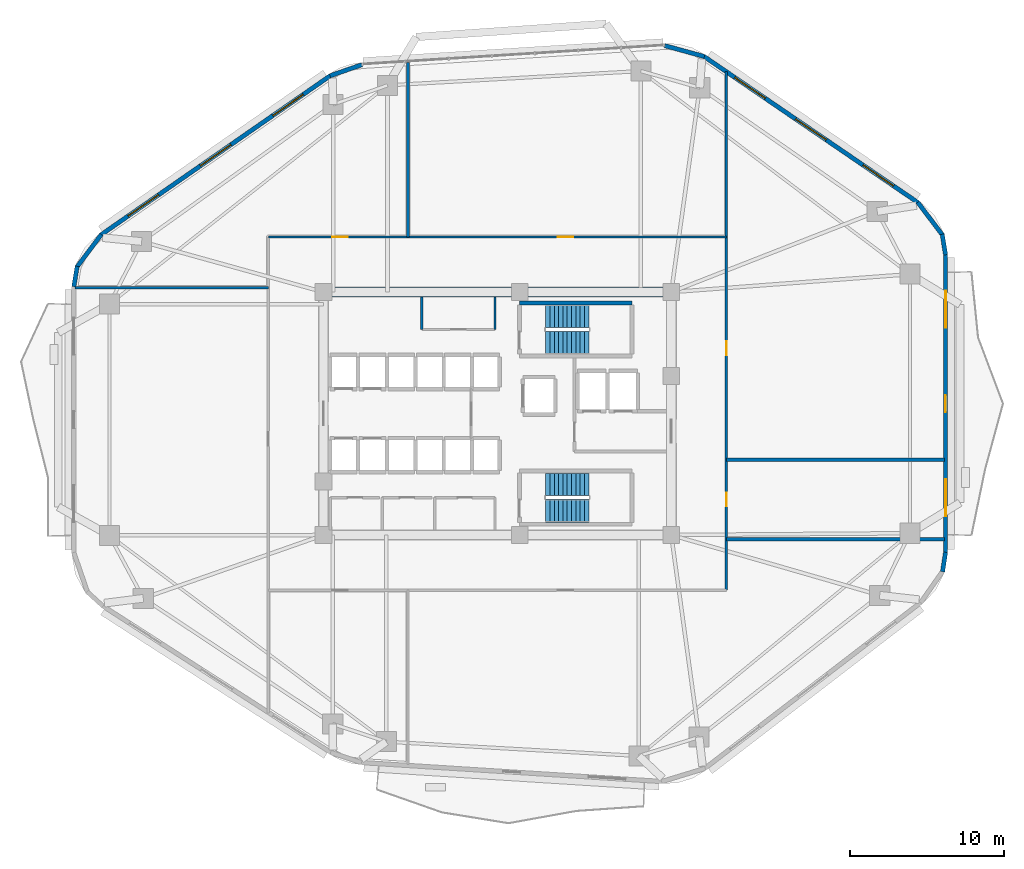
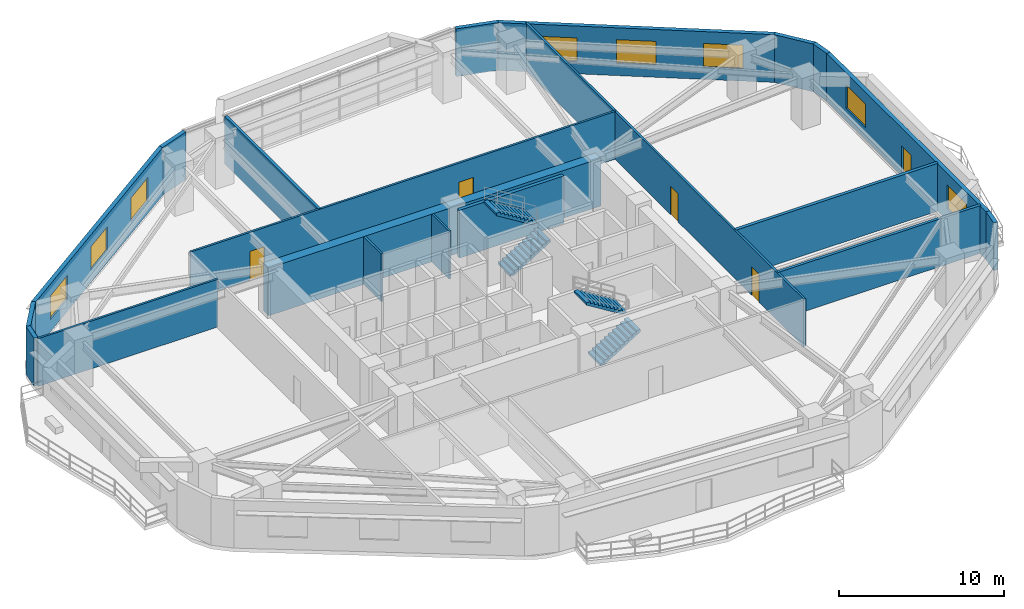
# One storey, part 8 of 11: 20 walls, 8 windows, 5 doors, 4 stair flights, 13 openings, 2 elements without a shape of their own.
"""IFC4 building model written with IfcOpenShell, lengths in metres."""

from ifc_helpers import new_model, si_unit, direction, frame, frame_2d, origin, place, context, subcontext, project, spatial, polyline, rectangle, outline, extrude, material, layer, layer_set, type_object, element, fill, aggregate, save


model = new_model("IFC4")

# Units and contexts
model_context = context("Model", 3, precision=1e-05, world=origin(), true_north=direction((0.0, 1.0)))
body_context = subcontext(model_context, "Body", "Model", "MODEL_VIEW")
ifc_project = project(units=[si_unit("LENGTHUNIT", "METRE"), si_unit("AREAUNIT", "SQUARE_METRE"), si_unit("VOLUMEUNIT", "CUBIC_METRE"), si_unit("PLANEANGLEUNIT", "RADIAN"), si_unit("MASSUNIT", "GRAM", prefix="KILO")], contexts=[model_context])

# Site, building, storey
site_placement = place(None, origin())
site = spatial("IfcSite", under=ifc_project, at=site_placement, CompositionType="ELEMENT")
building_placement = place(site_placement, origin())
building = spatial("IfcBuilding", under=site, at=building_placement, Name="Zulverin Broadcast Headquarters", CompositionType="ELEMENT")
storey_placement = place(building_placement, frame((0.0, 0.0, 78.199951171875)))
storey = spatial("IfcBuildingStorey", under=building, at=storey_placement, Name="L19", CompositionType="ELEMENT", Elevation=78.199951171875)

# Walls
ifc_material_1 = material(Name="Acoustic drywall steel stud", Category="steel")
ifc_layer_1 = layer(ifc_material_1, 0.199951171875, Name="Acoustic drywall steel stud", Category="steel")
ifc_layer_set_1 = layer_set([ifc_layer_1], Name="Acoustic drywall steel stud")
wall_type_1 = type_object("IfcWallType", Name="WL-ACOU-200", PredefinedType="PARTITIONING", material=ifc_layer_set_1)
wall_1_placement = place(storey_placement, frame((31.199951171875, 36.64990234375, 0.0), z_axis=(0.0, 0.0, 1.0), x_axis=(0.0, 1.0, 0.0)))
element("IfcWall", 1, at=wall_1_placement, inside=storey, type_object=wall_type_1, Name="L19 Room Partition Wall RP-03", PredefinedType="PARTITIONING", context=body_context, shape_type="SweptSolid", body=[
    extrude(rectangle(XDim=11.305908203125, YDim=0.199951171875, at=frame_2d((5.65283203125, 0.0))), origin(), (0.0, 0.0, 1.0), 3.525146484375),
])
wall_2_placement = place(storey_placement, frame((51.85009765625, 17.050048828125, 0.0), z_axis=(0.0, 0.0, 1.0), x_axis=(1.0, 0.0, 0.0)))
element("IfcWall", 2, at=wall_2_placement, inside=storey, type_object=wall_type_1, Name="L19 Room Partition Wall RP-06", PredefinedType="PARTITIONING", context=body_context, shape_type="SweptSolid", body=[
    extrude(rectangle(XDim=14.14501953125, YDim=0.199951171875, at=frame_2d((7.072509765625, 0.0))), origin(), (0.0, 0.0, 1.0), 3.525146484375),
])
ifc_material_2 = material(Name="Double-stud acoustic drywall", Category="gypsum")
ifc_layer_2 = layer(ifc_material_2, 0.219970703125, Name="Double-stud acoustic drywall", Category="gypsum")
ifc_layer_set_2 = layer_set([ifc_layer_2], Name="Double-stud acoustic drywall")
wall_type_2 = type_object("IfcWallType", Name="WL-ACOU-220", PredefinedType="PARTITIONING", material=ifc_layer_set_2)
wall_3_placement = place(storey_placement, frame((51.85009765625, 22.199951171875, 0.0), z_axis=(0.0, 0.0, 1.0), x_axis=(1.0, 0.0, 0.0)))
element("IfcWall", 3, at=wall_3_placement, inside=storey, type_object=wall_type_2, Name="L19 Room Partition Wall RP-07", PredefinedType="PARTITIONING", context=body_context, shape_type="SweptSolid", body=[
    extrude(rectangle(XDim=14.14501953125, YDim=0.219970703125, at=frame_2d((7.072509765625, 0.0))), origin(), (0.0, 0.0, 1.0), 3.525146484375),
])
ifc_material_3 = material(Name="Concrete C60/75", Category="concrete")
ifc_layer_3 = layer(ifc_material_3, 0.64990234375, Name="Concrete C60/75", Category="concrete")
ifc_layer_set_3 = layer_set([ifc_layer_3], Name="Concrete C60/75")
wall_type_3 = type_object("IfcWallType", Name="WL-CORE-650", PredefinedType="SHEAR", material=ifc_layer_set_3)
wall_4_placement = place(storey_placement, frame((25.39990234375, 33.074951171875, 0.0), z_axis=(0.0, 0.0, 1.0), x_axis=(1.0, 0.0, 0.0)))
element("IfcWall", 4, at=wall_4_placement, inside=storey, type_object=wall_type_3, Name="L19 Core North Shear Wall", PredefinedType="SHEAR", context=body_context, shape_type="SweptSolid", body=[
    extrude(rectangle(XDim=23.2001953125, YDim=0.64990234375, at=frame_2d((11.60009765625, 0.0))), origin(), (0.0, 0.0, 1.0), 3.525146484375),
])

# Wall, openings, door, windows
ifc_material_4 = material(Name="Insulated pale-metal clad concrete spandrel C40/50", Category="concrete")
ifc_layer_4 = layer(ifc_material_4, 0.280029296875, Name="Insulated pale-metal clad concrete spandrel C40/50", Category="concrete")
ifc_layer_set_4 = layer_set([ifc_layer_4], Name="Insulated pale-metal clad concrete spandrel C40/50")
wall_type_4 = type_object("IfcWallType", Name="WL-EXT-280", PredefinedType="STANDARD", material=ifc_layer_set_4)
wall_5_placement = place(storey_placement, frame((66.06005859375, 16.183349609375, 0.0), z_axis=(0.0, 0.0, 1.0), x_axis=(0.0, 1.0, 0.0)))
wall_5 = element("IfcWall", 5, at=wall_5_placement, inside=storey, type_object=wall_type_4, Name="L19 Pale-Metal Clad Spandrel Wall 3", PredefinedType="STANDARD", context=body_context, shape_type="SweptSolid", body=[
    extrude(rectangle(XDim=19.3310546875, YDim=0.280029296875, at=frame_2d((9.66552734375, 0.0))), origin(), (0.0, 0.0, 1.0), 3.525146484375),
])
opening_1_placement = place(wall_5_placement, frame((9.115478515625, 0.0, 0.0)))
opening_1 = element("IfcOpeningElement", 6, at=opening_1_placement, cuts=wall_5, Name="Opening D-L19-TR3", PredefinedType="OPENING", context=body_context, shape_type="SweptSolid", body=[
    extrude(rectangle(XDim=1.10009765625, YDim=2.199951171875, at=frame_2d((0.550048828125, 1.10009765625))), frame((0.0, 0.14990234375, 0.0), z_axis=(0.0, -1.0, 0.0), x_axis=(1.0, 0.0, 0.0)), (0.0, 0.0, 1.0), 0.300048828125),
])
opening_2_placement = place(wall_5_placement, frame((2.355224609375, 0.0, 0.89990234375)))
opening_2 = element("IfcOpeningElement", 7, at=opening_2_placement, cuts=wall_5, Name="Opening W-L19-E31", PredefinedType="OPENING", context=body_context, shape_type="SweptSolid", body=[
    extrude(rectangle(XDim=2.39990234375, YDim=1.75, at=frame_2d((1.199951171875, 0.875))), frame((0.0, 0.14990234375, 0.0), z_axis=(0.0, -1.0, 0.0), x_axis=(1.0, 0.0, 0.0)), (0.0, 0.0, 1.0), 0.300048828125),
])
opening_3_placement = place(wall_5_placement, frame((14.575927734375, 0.0, 0.89990234375)))
opening_3 = element("IfcOpeningElement", 8, at=opening_3_placement, cuts=wall_5, Name="Opening W-L19-E32", PredefinedType="OPENING", context=body_context, shape_type="SweptSolid", body=[
    extrude(rectangle(XDim=2.39990234375, YDim=1.75, at=frame_2d((1.199951171875, 0.875))), frame((0.0, 0.14990234375, 0.0), z_axis=(0.0, -1.0, 0.0), x_axis=(1.0, 0.0, 0.0)), (0.0, 0.0, 1.0), 0.300048828125),
])
ifc_material_5 = material(Name="Thermally broken aluminium glazed", Category="aluminium")
door_type_1 = type_object("IfcDoorType", Name="DR-TERR-1100", OperationType="SINGLE_SWING_RIGHT", PredefinedType="DOOR", material=ifc_material_5)
door_1_placement = place(opening_1_placement, origin())
door_1 = element("IfcDoor", 9, at=door_1_placement, inside=storey, type_object=door_type_1, Name="L19 Planted Terrace Glazed Access Door 3", OperationType="SINGLE_SWING_RIGHT", OverallHeight=2.199951171875, OverallWidth=1.10009765625, PredefinedType="DOOR", context=body_context, shape_type="SweptSolid", body=[
    extrude(rectangle(XDim=1.10009765625, YDim=2.199951171875, at=frame_2d((0.550048828125, 1.10009765625))), frame((0.0, 0.02490234375, 0.0), z_axis=(0.0, -1.0, 0.0), x_axis=(1.0, 0.0, 0.0)), (0.0, 0.0, 1.0), 0.050048828125),
])
fill(opening_1, door_1)
ifc_material_6 = material(Name="Pale anodized aluminium frame with solar-control low-E double glazing", Category="aluminium")
window_type = type_object("IfcWindowType", Name="WIN-RIB-2400", PartitioningType="SINGLE_PANEL", PredefinedType="WINDOW", material=ifc_material_6)
window_1_placement = place(opening_2_placement, origin())
window_1 = element("IfcWindow", 10, at=window_1_placement, inside=storey, type_object=window_type, Name="L19 Ribbon Glazing Window 3 1", OverallHeight=1.75, OverallWidth=2.39990234375, PartitioningType="SINGLE_PANEL", PredefinedType="WINDOW", context=body_context, shape_type="SweptSolid", body=[
    extrude(rectangle(XDim=2.39990234375, YDim=1.75, at=frame_2d((1.199951171875, 0.875))), frame((0.0, 0.030029296875, 0.0), z_axis=(0.0, -1.0, 0.0), x_axis=(1.0, 0.0, 0.0)), (0.0, 0.0, 1.0), 0.06005859375),
])
fill(opening_2, window_1)
window_2_placement = place(opening_3_placement, origin())
window_2 = element("IfcWindow", 11, at=window_2_placement, inside=storey, type_object=window_type, Name="L19 Ribbon Glazing Window 3 2", OverallHeight=1.75, OverallWidth=2.39990234375, PartitioningType="SINGLE_PANEL", PredefinedType="WINDOW", context=body_context, shape_type="SweptSolid", body=[
    extrude(rectangle(XDim=2.39990234375, YDim=1.75, at=frame_2d((1.199951171875, 0.875))), frame((0.0, 0.030029296875, 0.0), z_axis=(0.0, -1.0, 0.0), x_axis=(1.0, 0.0, 0.0)), (0.0, 0.0, 1.0), 0.06005859375),
])
fill(opening_3, window_2)

# Wall, openings, windows
wall_6_placement = place(storey_placement, frame((64.289794921875, 38.8671875, 0.0), z_axis=(0.0, 0.0, 1.0), x_axis=(-0.825755550159, 0.564028165416, 0.0)))
wall_6 = element("IfcWall", 12, at=wall_6_placement, inside=storey, type_object=wall_type_4, Name="L19 Pale-Metal Clad Spandrel Wall 4", PredefinedType="STANDARD", context=body_context, shape_type="SweptSolid", body=[
    extrude(rectangle(XDim=16.848388671875, YDim=0.280029296875, at=frame_2d((8.42431640625, 0.0))), origin(), (0.0, 0.0, 1.0), 3.525146484375),
])
opening_4_placement = place(wall_6_placement, frame((1.94140625, 0.0, 0.89990234375)))
opening_4 = element("IfcOpeningElement", 13, at=opening_4_placement, cuts=wall_6, Name="Opening W-L19-E41", PredefinedType="OPENING", context=body_context, shape_type="SweptSolid", body=[
    extrude(rectangle(XDim=2.39990234375, YDim=1.75, at=frame_2d((1.199951171875, 0.875))), frame((0.0, 0.14990234375, 0.0), z_axis=(0.0, -1.0, 0.0), x_axis=(1.0, 0.0, 0.0)), (0.0, 0.0, 1.0), 0.300048828125),
])
opening_5_placement = place(wall_6_placement, frame((7.22412109375, 0.0, 0.89990234375)))
opening_5 = element("IfcOpeningElement", 14, at=opening_5_placement, cuts=wall_6, Name="Opening W-L19-E42", PredefinedType="OPENING", context=body_context, shape_type="SweptSolid", body=[
    extrude(rectangle(XDim=2.39990234375, YDim=1.75, at=frame_2d((1.199951171875, 0.875))), frame((0.0, 0.14990234375, 0.0), z_axis=(0.0, -1.0, 0.0), x_axis=(1.0, 0.0, 0.0)), (0.0, 0.0, 1.0), 0.300048828125),
])
opening_6_placement = place(wall_6_placement, frame((12.0068359375, 0.0, 0.89990234375)))
opening_6 = element("IfcOpeningElement", 15, at=opening_6_placement, cuts=wall_6, Name="Opening W-L19-E43", PredefinedType="OPENING", context=body_context, shape_type="SweptSolid", body=[
    extrude(rectangle(XDim=2.39990234375, YDim=1.75, at=frame_2d((1.199951171875, 0.875))), frame((0.0, 0.14990234375, 0.0), z_axis=(0.0, -1.0, 0.0), x_axis=(1.0, 0.0, 0.0)), (0.0, 0.0, 1.0), 0.300048828125),
])
window_3_placement = place(opening_4_placement, origin())
window_3 = element("IfcWindow", 16, at=window_3_placement, inside=storey, type_object=window_type, Name="L19 Ribbon Glazing Window 4 1", OverallHeight=1.75, OverallWidth=2.39990234375, PartitioningType="SINGLE_PANEL", PredefinedType="WINDOW", context=body_context, shape_type="SweptSolid", body=[
    extrude(rectangle(XDim=2.39990234375, YDim=1.75, at=frame_2d((1.199951171875, 0.875))), frame((0.0, 0.030029296875, 0.0), z_axis=(0.0, -1.0, 0.0), x_axis=(1.0, 0.0, 0.0)), (0.0, 0.0, 1.0), 0.06005859375),
])
fill(opening_4, window_3)
window_4_placement = place(opening_5_placement, origin())
window_4 = element("IfcWindow", 17, at=window_4_placement, inside=storey, type_object=window_type, Name="L19 Ribbon Glazing Window 4 2", OverallHeight=1.75, OverallWidth=2.39990234375, PartitioningType="SINGLE_PANEL", PredefinedType="WINDOW", context=body_context, shape_type="SweptSolid", body=[
    extrude(rectangle(XDim=2.39990234375, YDim=1.75, at=frame_2d((1.199951171875, 0.875))), frame((0.0, 0.030029296875, 0.0), z_axis=(0.0, -1.0, 0.0), x_axis=(1.0, 0.0, 0.0)), (0.0, 0.0, 1.0), 0.06005859375),
])
fill(opening_5, window_4)
window_5_placement = place(opening_6_placement, origin())
window_5 = element("IfcWindow", 18, at=window_5_placement, inside=storey, type_object=window_type, Name="L19 Ribbon Glazing Window 4 3", OverallHeight=1.75, OverallWidth=2.39990234375, PartitioningType="SINGLE_PANEL", PredefinedType="WINDOW", context=body_context, shape_type="SweptSolid", body=[
    extrude(rectangle(XDim=2.39990234375, YDim=1.75, at=frame_2d((1.199951171875, 0.875))), frame((0.0, 0.030029296875, 0.0), z_axis=(0.0, -1.0, 0.0), x_axis=(1.0, 0.0, 0.0)), (0.0, 0.0, 1.0), 0.06005859375),
])
fill(opening_6, window_5)

wall_7_placement = place(storey_placement, frame((26.181884765625, 47.11767578125, 0.0), z_axis=(0.0, 0.0, 1.0), x_axis=(-0.821547956627, -0.570139417127, 0.0)))
wall_7 = element("IfcWall", 19, at=wall_7_placement, inside=storey, type_object=wall_type_4, Name="L19 Pale-Metal Clad Spandrel Wall 6", PredefinedType="STANDARD", context=body_context, shape_type="SweptSolid", body=[
    extrude(rectangle(XDim=18.13232421875, YDim=0.280029296875, at=frame_2d((9.066162109375, 0.0))), origin(), (0.0, 0.0, 1.0), 3.525146484375),
])
opening_7_placement = place(wall_7_placement, frame((2.155517578125, 0.0, 0.89990234375)))
opening_7 = element("IfcOpeningElement", 20, at=opening_7_placement, cuts=wall_7, Name="Opening W-L19-E61", PredefinedType="OPENING", context=body_context, shape_type="SweptSolid", body=[
    extrude(rectangle(XDim=2.39990234375, YDim=1.75, at=frame_2d((1.199951171875, 0.875))), frame((0.0, 0.14990234375, 0.0), z_axis=(0.0, -1.0, 0.0), x_axis=(1.0, 0.0, 0.0)), (0.0, 0.0, 1.0), 0.300048828125),
])
opening_8_placement = place(wall_7_placement, frame((7.8662109375, 0.0, 0.89990234375)))
opening_8 = element("IfcOpeningElement", 21, at=opening_8_placement, cuts=wall_7, Name="Opening W-L19-E62", PredefinedType="OPENING", context=body_context, shape_type="SweptSolid", body=[
    extrude(rectangle(XDim=2.39990234375, YDim=1.75, at=frame_2d((1.199951171875, 0.875))), frame((0.0, 0.14990234375, 0.0), z_axis=(0.0, -1.0, 0.0), x_axis=(1.0, 0.0, 0.0)), (0.0, 0.0, 1.0), 0.300048828125),
])
opening_9_placement = place(wall_7_placement, frame((13.576904296875, 0.0, 0.89990234375)))
opening_9 = element("IfcOpeningElement", 22, at=opening_9_placement, cuts=wall_7, Name="Opening W-L19-E63", PredefinedType="OPENING", context=body_context, shape_type="SweptSolid", body=[
    extrude(rectangle(XDim=2.39990234375, YDim=1.75, at=frame_2d((1.199951171875, 0.875))), frame((0.0, 0.14990234375, 0.0), z_axis=(0.0, -1.0, 0.0), x_axis=(1.0, 0.0, 0.0)), (0.0, 0.0, 1.0), 0.300048828125),
])
window_6_placement = place(opening_7_placement, origin())
window_6 = element("IfcWindow", 23, at=window_6_placement, inside=storey, type_object=window_type, Name="L19 Ribbon Glazing Window 6 1", OverallHeight=1.75, OverallWidth=2.39990234375, PartitioningType="SINGLE_PANEL", PredefinedType="WINDOW", context=body_context, shape_type="SweptSolid", body=[
    extrude(rectangle(XDim=2.39990234375, YDim=1.75, at=frame_2d((1.199951171875, 0.875))), frame((0.0, 0.030029296875, 0.0), z_axis=(0.0, -1.0, 0.0), x_axis=(1.0, 0.0, 0.0)), (0.0, 0.0, 1.0), 0.06005859375),
])
fill(opening_7, window_6)
window_7_placement = place(opening_8_placement, origin())
window_7 = element("IfcWindow", 24, at=window_7_placement, inside=storey, type_object=window_type, Name="L19 Ribbon Glazing Window 6 2", OverallHeight=1.75, OverallWidth=2.39990234375, PartitioningType="SINGLE_PANEL", PredefinedType="WINDOW", context=body_context, shape_type="SweptSolid", body=[
    extrude(rectangle(XDim=2.39990234375, YDim=1.75, at=frame_2d((1.199951171875, 0.875))), frame((0.0, 0.030029296875, 0.0), z_axis=(0.0, -1.0, 0.0), x_axis=(1.0, 0.0, 0.0)), (0.0, 0.0, 1.0), 0.06005859375),
])
fill(opening_8, window_7)
window_8_placement = place(opening_9_placement, origin())
window_8 = element("IfcWindow", 25, at=window_8_placement, inside=storey, type_object=window_type, Name="L19 Ribbon Glazing Window 6 3", OverallHeight=1.75, OverallWidth=2.39990234375, PartitioningType="SINGLE_PANEL", PredefinedType="WINDOW", context=body_context, shape_type="SweptSolid", body=[
    extrude(rectangle(XDim=2.39990234375, YDim=1.75, at=frame_2d((1.199951171875, 0.875))), frame((0.0, 0.030029296875, 0.0), z_axis=(0.0, -1.0, 0.0), x_axis=(1.0, 0.0, 0.0)), (0.0, 0.0, 1.0), 0.06005859375),
])
fill(opening_9, window_8)

# Walls
wall_8_placement = place(storey_placement, frame((65.867431640625, 14.942626953125, 0.0), z_axis=(0.0, 0.0, 1.0), x_axis=(0.152014078361, 0.988378328364, 0.0)))
element("IfcWall", 26, at=wall_8_placement, inside=storey, type_object=wall_type_4, Name="L19 Wind-Shaped Corner Spandrel Wall 2-2", PredefinedType="STANDARD", context=body_context, shape_type="SweptSolid", body=[
    extrude(rectangle(XDim=1.27685546875, YDim=0.280029296875, at=frame_2d((0.638427734375, 0.0))), origin(), (0.0, 0.0, 1.0), 3.525146484375),
])
wall_9_placement = place(storey_placement, frame((66.061767578125, 35.491943359375, 0.0), z_axis=(0.0, 0.0, 1.0), x_axis=(-0.161182073582, 0.986924687682, 0.0)))
element("IfcWall", 27, at=wall_9_placement, inside=storey, type_object=wall_type_4, Name="L19 Wind-Shaped Corner Spandrel Wall 3-1", PredefinedType="STANDARD", context=body_context, shape_type="SweptSolid", body=[
    extrude(rectangle(XDim=1.354248046875, YDim=0.280029296875, at=frame_2d((0.67724609375, 0.0))), origin(), (0.0, 0.0, 1.0), 3.525146484375),
])
wall_10_placement = place(storey_placement, frame((65.8701171875, 36.7666015625, 0.0), z_axis=(0.0, 0.0, 1.0), x_axis=(-0.603370463754, 0.797461023166, 0.0)))
element("IfcWall", 28, at=wall_10_placement, inside=storey, type_object=wall_type_4, Name="L19 Wind-Shaped Corner Spandrel Wall 3-2", PredefinedType="STANDARD", context=body_context, shape_type="SweptSolid", body=[
    extrude(rectangle(XDim=2.6728515625, YDim=0.280029296875, at=frame_2d((1.33642578125, 0.0))), origin(), (0.0, 0.0, 1.0), 3.525146484375),
])
wall_11_placement = place(storey_placement, frame((50.419189453125, 48.3505859375, 0.0), z_axis=(0.0, 0.0, 1.0), x_axis=(-0.964263320055, 0.264945748402, 0.0)))
element("IfcWall", 29, at=wall_11_placement, inside=storey, type_object=wall_type_4, Name="L19 Wind-Shaped Corner Spandrel Wall 4-1", PredefinedType="STANDARD", context=body_context, shape_type="SweptSolid", body=[
    extrude(rectangle(XDim=2.665771484375, YDim=0.280029296875, at=frame_2d((1.3330078125, 0.0))), origin(), (0.0, 0.0, 1.0), 3.525146484375),
])
wall_12_placement = place(storey_placement, frame((28.217041015625, 47.820068359375, 0.0), z_axis=(0.0, 0.0, 1.0), x_axis=(-0.944478751803, -0.328572499447, 0.0)))
element("IfcWall", 30, at=wall_12_placement, inside=storey, type_object=wall_type_4, Name="L19 Wind-Shaped Corner Spandrel Wall 5-1", PredefinedType="STANDARD", context=body_context, shape_type="SweptSolid", body=[
    extrude(rectangle(XDim=2.1904296875, YDim=0.280029296875, at=frame_2d((1.09521484375, 0.0))), origin(), (0.0, 0.0, 1.0), 3.525146484375),
])
wall_13_placement = place(storey_placement, frame((11.317626953125, 36.81103515625, 0.0), z_axis=(0.0, 0.0, 1.0), x_axis=(-0.599455152629, -0.800408345775, 0.0)))
element("IfcWall", 31, at=wall_13_placement, inside=storey, type_object=wall_type_4, Name="L19 Wind-Shaped Corner Spandrel Wall 6-1", PredefinedType="STANDARD", context=body_context, shape_type="SweptSolid", body=[
    extrude(rectangle(XDim=2.6533203125, YDim=0.280029296875, at=frame_2d((1.32666015625, 0.0))), origin(), (0.0, 0.0, 1.0), 3.525146484375),
])
wall_14_placement = place(storey_placement, frame((9.753173828125, 34.748779296875, 0.0), z_axis=(0.0, 0.0, 1.0), x_axis=(-0.160037671962, -0.987110907423, 0.0)))
element("IfcWall", 32, at=wall_14_placement, inside=storey, type_object=wall_type_4, Name="L19 Wind-Shaped Corner Spandrel Wall 6-2", PredefinedType="STANDARD", context=body_context, shape_type="SweptSolid", body=[
    extrude(rectangle(XDim=1.343994140625, YDim=0.280029296875, at=frame_2d((0.671875, 0.0))), origin(), (0.0, 0.0, 1.0), 3.525146484375),
])
ifc_material_7 = material(Name="Fire-rated gypsum stud partition", Category="gypsum")
ifc_layer_5 = layer(ifc_material_7, 0.14990234375, Name="Fire-rated gypsum stud partition", Category="gypsum")
ifc_layer_set_5 = layer_set([ifc_layer_5], Name="Fire-rated gypsum stud partition")
wall_type_5 = type_object("IfcWallType", Name="WL-PART-150", PredefinedType="PARTITIONING", material=ifc_layer_set_5)
for number, where, z_axis, x_axis, name in (
    (33, (32.10009765625, 30.64990234375, 0.0), (0.0, 0.0, 1.0), (0.0, 1.0, 0.0), "L19 Core Accessible WC & Electrical Riser West Wall"),
    (34, (36.85009765625, 30.64990234375, 0.0), (0.0, 0.0, 1.0), (0.0, 1.0, 0.0), "L19 Core Accessible WC & Electrical Riser East Wall"),
):
    element("IfcWall", number, at=place(storey_placement, frame(where, z_axis=z_axis, x_axis=x_axis)), inside=storey, type_object=wall_type_5, Name=name, PredefinedType="PARTITIONING", context=body_context, shape_type="SweptSolid", body=[
        extrude(rectangle(XDim=2.10009765625, YDim=0.14990234375, at=frame_2d((1.050048828125, 0.0))), origin(), (0.0, 0.0, 1.0), 3.525146484375),
    ])

# Wall, openings, doors
wall_15_placement = place(storey_placement, frame((51.85009765625, 13.75, 0.0), z_axis=(0.0, 0.0, 1.0), x_axis=(0.0, 1.0, 0.0)))
wall_15 = element("IfcWall", 35, at=wall_15_placement, inside=storey, type_object=wall_type_5, Name="L19 Gallery Partition Wall CG-01", PredefinedType="PARTITIONING", context=body_context, shape_type="SweptSolid", body=[
    extrude(rectangle(XDim=33.6435546875, YDim=0.14990234375, at=frame_2d((16.82177734375, 0.0))), origin(), (0.0, 0.0, 1.0), 3.525146484375),
])
opening_10_placement = place(wall_15_placement, frame((5.425048828125, 0.0, 0.0)))
opening_10 = element("IfcOpeningElement", 36, at=opening_10_placement, cuts=wall_15, Name="Opening D-L19-06", PredefinedType="OPENING", context=body_context, shape_type="SweptSolid", body=[
    extrude(rectangle(XDim=0.89990234375, YDim=2.10009765625, at=frame_2d((0.449951171875, 1.050048828125))), frame((0.0, 0.0849609375, 0.0), z_axis=(0.0, -1.0, 0.0), x_axis=(1.0, 0.0, 0.0)), (0.0, 0.0, 1.0), 0.169921875),
])
opening_11_placement = place(wall_15_placement, frame((15.22509765625, 0.0, 0.0)))
opening_11 = element("IfcOpeningElement", 37, at=opening_11_placement, cuts=wall_15, Name="Opening D-L19-07", PredefinedType="OPENING", context=body_context, shape_type="SweptSolid", body=[
    extrude(rectangle(XDim=0.89990234375, YDim=2.10009765625, at=frame_2d((0.449951171875, 1.050048828125))), frame((0.0, 0.0849609375, 0.0), z_axis=(0.0, -1.0, 0.0), x_axis=(1.0, 0.0, 0.0)), (0.0, 0.0, 1.0), 0.169921875),
])
ifc_material_8 = material(Name="Fire-rated hardwood veneer timber leaf", Category="wood")
door_type_2 = type_object("IfcDoorType", Name="DR-ROOM-900", OperationType="SINGLE_SWING_RIGHT", PredefinedType="DOOR", material=ifc_material_8)
door_2_placement = place(opening_10_placement, origin())
door_2 = element("IfcDoor", 38, at=door_2_placement, inside=storey, type_object=door_type_2, Name="L19 Staff Cafe & Bar Door", OperationType="SINGLE_SWING_LEFT", OverallHeight=2.10009765625, OverallWidth=0.89990234375, PredefinedType="DOOR", context=body_context, shape_type="SweptSolid", body=[
    extrude(rectangle(XDim=0.89990234375, YDim=2.10009765625, at=frame_2d((0.449951171875, 1.050048828125))), frame((0.0, 0.02490234375, 0.0), z_axis=(0.0, -1.0, 0.0), x_axis=(1.0, 0.0, 0.0)), (0.0, 0.0, 1.0), 0.050048828125),
])
fill(opening_10, door_2)
door_3_placement = place(opening_11_placement, origin())
door_3 = element("IfcDoor", 39, at=door_3_placement, inside=storey, type_object=door_type_2, Name="L19 Tea Pantry Door", OperationType="SINGLE_SWING_RIGHT", OverallHeight=2.10009765625, OverallWidth=0.89990234375, PredefinedType="DOOR", context=body_context, shape_type="SweptSolid", body=[
    extrude(rectangle(XDim=0.89990234375, YDim=2.10009765625, at=frame_2d((0.449951171875, 1.050048828125))), frame((0.0, 0.02490234375, 0.0), z_axis=(0.0, -1.0, 0.0), x_axis=(1.0, 0.0, 0.0)), (0.0, 0.0, 1.0), 0.050048828125),
])
fill(opening_11, door_3)

# Wall
wall_16_placement = place(storey_placement, frame((9.60498046875, 33.35009765625, 0.0), z_axis=(0.0, 0.0, 1.0), x_axis=(1.0, 0.0, 0.0)))
element("IfcWall", 40, at=wall_16_placement, inside=storey, type_object=wall_type_5, Name="L19 Room Partition Wall RP-08", PredefinedType="PARTITIONING", context=body_context, shape_type="SweptSolid", body=[
    extrude(rectangle(XDim=12.544921875, YDim=0.14990234375, at=frame_2d((6.2724609375, 0.0))), origin(), (0.0, 0.0, 1.0), 3.525146484375),
])

# Wall, openings, doors
wall_17_placement = place(storey_placement, frame((22.14990234375, 36.64990234375, 0.0), z_axis=(0.0, 0.0, 1.0), x_axis=(1.0, 0.0, 0.0)))
wall_17 = element("IfcWall", 41, at=wall_17_placement, inside=storey, type_object=wall_type_5, Name="L19 Gallery Partition Wall CG-09", PredefinedType="PARTITIONING", context=body_context, shape_type="SweptSolid", body=[
    extrude(rectangle(XDim=29.7001953125, YDim=0.14990234375, at=frame_2d((14.85009765625, 0.0))), origin(), (0.0, 0.0, 1.0), 3.525146484375),
])
opening_12_placement = place(wall_17_placement, frame((4.14501953125, 0.0, 0.0)))
opening_12 = element("IfcOpeningElement", 42, at=opening_12_placement, cuts=wall_17, Name="Opening D-L19-01", PredefinedType="OPENING", context=body_context, shape_type="SweptSolid", body=[
    extrude(rectangle(XDim=1.0, YDim=2.1201171875, at=frame_2d((0.5, 1.06005859375))), frame((0.0, 0.0849609375, 0.0), z_axis=(0.0, -1.0, 0.0), x_axis=(1.0, 0.0, 0.0)), (0.0, 0.0, 1.0), 0.169921875),
])
opening_13_placement = place(wall_17_placement, frame((18.7548828125, 0.0, 0.0)))
opening_13 = element("IfcOpeningElement", 43, at=opening_13_placement, cuts=wall_17, Name="Opening D-L19-02", PredefinedType="OPENING", context=body_context, shape_type="SweptSolid", body=[
    extrude(rectangle(XDim=1.0, YDim=2.1201171875, at=frame_2d((0.5, 1.06005859375))), frame((0.0, 0.0849609375, 0.0), z_axis=(0.0, -1.0, 0.0), x_axis=(1.0, 0.0, 0.0)), (0.0, 0.0, 1.0), 0.169921875),
])
ifc_material_9 = material(Name="Hardwood veneer acoustic leaf", Category="wood")
door_type_3 = type_object("IfcDoorType", Name="DR-OFF-1000", OperationType="SINGLE_SWING_LEFT", PredefinedType="DOOR", material=ifc_material_9)
door_4_placement = place(opening_12_placement, origin())
door_4 = element("IfcDoor", 44, at=door_4_placement, inside=storey, type_object=door_type_3, Name="L19 Live Newsroom Workplace Door", OperationType="SINGLE_SWING_RIGHT", OverallHeight=2.1201171875, OverallWidth=1.0, PredefinedType="DOOR", context=body_context, shape_type="SweptSolid", body=[
    extrude(rectangle(XDim=1.0, YDim=2.1201171875, at=frame_2d((0.5, 1.06005859375))), frame((0.0, 0.02490234375, 0.0), z_axis=(0.0, -1.0, 0.0), x_axis=(1.0, 0.0, 0.0)), (0.0, 0.0, 1.0), 0.050048828125),
])
fill(opening_12, door_4)
door_5_placement = place(opening_13_placement, origin())
door_5 = element("IfcDoor", 45, at=door_5_placement, inside=storey, type_object=door_type_3, Name="L19 Transmission Control Office Door", OperationType="SINGLE_SWING_LEFT", OverallHeight=2.1201171875, OverallWidth=1.0, PredefinedType="DOOR", context=body_context, shape_type="SweptSolid", body=[
    extrude(rectangle(XDim=1.0, YDim=2.1201171875, at=frame_2d((0.5, 1.06005859375))), frame((0.0, 0.02490234375, 0.0), z_axis=(0.0, -1.0, 0.0), x_axis=(1.0, 0.0, 0.0)), (0.0, 0.0, 1.0), 0.050048828125),
])
fill(opening_13, door_5)

# Wall
ifc_material_10 = material(Name="Concrete C50/60", Category="concrete")
ifc_layer_6 = layer(ifc_material_10, 0.25, Name="Concrete C50/60", Category="concrete")
ifc_layer_set_6 = layer_set([ifc_layer_6], Name="Concrete C50/60")
wall_type_6 = type_object("IfcWallType", Name="WL-SHAFT-250", PredefinedType="SHEAR", material=ifc_layer_set_6)
wall_18_placement = place(storey_placement, frame((38.425048828125, 32.375, 0.0), z_axis=(0.0, 0.0, 1.0), x_axis=(1.0, 0.0, 0.0)))
element("IfcWall", 46, at=wall_18_placement, inside=storey, type_object=wall_type_6, Name="L19 ST-1 Enclosure Wall N", PredefinedType="SHEAR", context=body_context, shape_type="SweptSolid", body=[
    extrude(rectangle(XDim=7.300048828125, YDim=0.25, at=frame_2d((3.64990234375, 0.0))), origin(), (0.0, 0.0, 1.0), 3.525146484375),
])

# Stair, stair flights
ifc_material_11 = material(Name="Concrete C40/50", Category="concrete")
stair_type = type_object("IfcStairType", Name="ST-CORE-1500", PredefinedType="HALF_TURN_STAIR", material=ifc_material_11)
stair_1_placement = place(storey_placement, origin())
stair_1 = element("IfcStair", 47, at=stair_1_placement, inside=storey, type_object=stair_type, Name="L19 Core Exit Stair ST-1", PredefinedType="HALF_TURN_STAIR")
stair_flight_type = type_object("IfcStairFlightType", Name="SF-CORE-1500", PredefinedType="STRAIGHT", material=ifc_material_11)
stair_flight_1_placement = place(storey_placement, frame((40.1298828125, 29.800048828125, 0.0), z_axis=(0.0, 0.0, 1.0), x_axis=(1.0, 0.0, 0.0)))
stair_flight_1 = element("IfcStairFlight", 48, at=stair_flight_1_placement, type_object=stair_flight_type, Name="ST-1 flight 1", NumberOfRisers=11, NumberOfTreads=10, PredefinedType="STRAIGHT", RiserHeight=0.172727273, TreadLength=0.28, context=body_context, shape_type="SweptSolid", body=[
    extrude(outline(polyline([(0.0, 0.0), (0.0, 0.172607421875), (0.280029296875, 0.172607421875), (0.280029296875, 0.345458984375), (0.56005859375, 0.345458984375), (0.56005859375, 0.51806640625), (0.840087890625, 0.51806640625), (0.840087890625, 0.69091796875), (1.1201171875, 0.69091796875), (1.1201171875, 0.863525390625), (1.39990234375, 0.863525390625), (1.39990234375, 1.036376953125), (1.679931640625, 1.036376953125), (1.679931640625, 1.208984375), (1.9599609375, 1.208984375), (1.9599609375, 1.3818359375), (2.239990234375, 1.3818359375), (2.239990234375, 1.554443359375), (2.52001953125, 1.554443359375), (2.52001953125, 1.727294921875), (2.800048828125, 1.727294921875), (2.800048828125, 1.89990234375), (2.800048828125, 1.551025390625), (0.285400390625, 0.0), (0.0, 0.0)])), frame((0.0, 0.75, 0.0), z_axis=(0.0, -1.0, 0.0), x_axis=(1.0, 0.0, 0.0)), (0.0, 0.0, 1.0), 1.5),
])
stair_flight_2_placement = place(storey_placement, frame((42.929931640625, 31.5, 1.900146484375), z_axis=(0.0, 0.0, 1.0), x_axis=(-1.0, 0.0, 0.0)))
stair_flight_2 = element("IfcStairFlight", 49, at=stair_flight_2_placement, type_object=stair_flight_type, Name="ST-1 flight 2", NumberOfRisers=11, NumberOfTreads=10, PredefinedType="STRAIGHT", RiserHeight=0.172727273, TreadLength=0.28, context=body_context, shape_type="SweptSolid", body=[
    extrude(outline(polyline([(0.0, 0.0), (0.0, 0.172607421875), (0.280029296875, 0.172607421875), (0.280029296875, 0.345458984375), (0.56005859375, 0.345458984375), (0.56005859375, 0.51806640625), (0.840087890625, 0.51806640625), (0.840087890625, 0.69091796875), (1.1201171875, 0.69091796875), (1.1201171875, 0.863525390625), (1.39990234375, 0.863525390625), (1.39990234375, 1.036376953125), (1.679931640625, 1.036376953125), (1.679931640625, 1.208984375), (1.9599609375, 1.208984375), (1.9599609375, 1.3818359375), (2.239990234375, 1.3818359375), (2.239990234375, 1.554443359375), (2.52001953125, 1.554443359375), (2.52001953125, 1.727294921875), (2.800048828125, 1.727294921875), (2.800048828125, 1.89990234375), (2.800048828125, 1.551025390625), (0.285400390625, 0.0), (0.0, 0.0)])), frame((0.0, 0.75, 0.0), z_axis=(0.0, -1.0, 0.0), x_axis=(1.0, 0.0, 0.0)), (0.0, 0.0, 1.0), 1.5),
])
aggregate(stair_1, [stair_flight_1, stair_flight_2])

stair_2_placement = place(storey_placement, origin())
stair_2 = element("IfcStair", 50, at=stair_2_placement, inside=storey, type_object=stair_type, Name="L19 Core Exit Stair ST-2", PredefinedType="HALF_TURN_STAIR")
stair_flight_3_placement = place(storey_placement, frame((40.1298828125, 18.89990234375, 0.0), z_axis=(0.0, 0.0, 1.0), x_axis=(1.0, 0.0, 0.0)))
stair_flight_3 = element("IfcStairFlight", 51, at=stair_flight_3_placement, type_object=stair_flight_type, Name="ST-2 flight 1", NumberOfRisers=11, NumberOfTreads=10, PredefinedType="STRAIGHT", RiserHeight=0.172727273, TreadLength=0.28, context=body_context, shape_type="SweptSolid", body=[
    extrude(outline(polyline([(0.0, 0.0), (0.0, 0.172607421875), (0.280029296875, 0.172607421875), (0.280029296875, 0.345458984375), (0.56005859375, 0.345458984375), (0.56005859375, 0.51806640625), (0.840087890625, 0.51806640625), (0.840087890625, 0.69091796875), (1.1201171875, 0.69091796875), (1.1201171875, 0.863525390625), (1.39990234375, 0.863525390625), (1.39990234375, 1.036376953125), (1.679931640625, 1.036376953125), (1.679931640625, 1.208984375), (1.9599609375, 1.208984375), (1.9599609375, 1.3818359375), (2.239990234375, 1.3818359375), (2.239990234375, 1.554443359375), (2.52001953125, 1.554443359375), (2.52001953125, 1.727294921875), (2.800048828125, 1.727294921875), (2.800048828125, 1.89990234375), (2.800048828125, 1.551025390625), (0.285400390625, 0.0), (0.0, 0.0)])), frame((0.0, 0.75, 0.0), z_axis=(0.0, -1.0, 0.0), x_axis=(1.0, 0.0, 0.0)), (0.0, 0.0, 1.0), 1.5),
])
stair_flight_4_placement = place(storey_placement, frame((42.929931640625, 20.60009765625, 1.900146484375), z_axis=(0.0, 0.0, 1.0), x_axis=(-1.0, 0.0, 0.0)))
stair_flight_4 = element("IfcStairFlight", 52, at=stair_flight_4_placement, type_object=stair_flight_type, Name="ST-2 flight 2", NumberOfRisers=11, NumberOfTreads=10, PredefinedType="STRAIGHT", RiserHeight=0.172727273, TreadLength=0.28, context=body_context, shape_type="SweptSolid", body=[
    extrude(outline(polyline([(0.0, 0.0), (0.0, 0.172607421875), (0.280029296875, 0.172607421875), (0.280029296875, 0.345458984375), (0.56005859375, 0.345458984375), (0.56005859375, 0.51806640625), (0.840087890625, 0.51806640625), (0.840087890625, 0.69091796875), (1.1201171875, 0.69091796875), (1.1201171875, 0.863525390625), (1.39990234375, 0.863525390625), (1.39990234375, 1.036376953125), (1.679931640625, 1.036376953125), (1.679931640625, 1.208984375), (1.9599609375, 1.208984375), (1.9599609375, 1.3818359375), (2.239990234375, 1.3818359375), (2.239990234375, 1.554443359375), (2.52001953125, 1.554443359375), (2.52001953125, 1.727294921875), (2.800048828125, 1.727294921875), (2.800048828125, 1.89990234375), (2.800048828125, 1.551025390625), (0.285400390625, 0.0), (0.0, 0.0)])), frame((0.0, 0.75, 0.0), z_axis=(0.0, -1.0, 0.0), x_axis=(1.0, 0.0, 0.0)), (0.0, 0.0, 1.0), 1.5),
])
aggregate(stair_2, [stair_flight_3, stair_flight_4])

save(model, "model.ifc")
